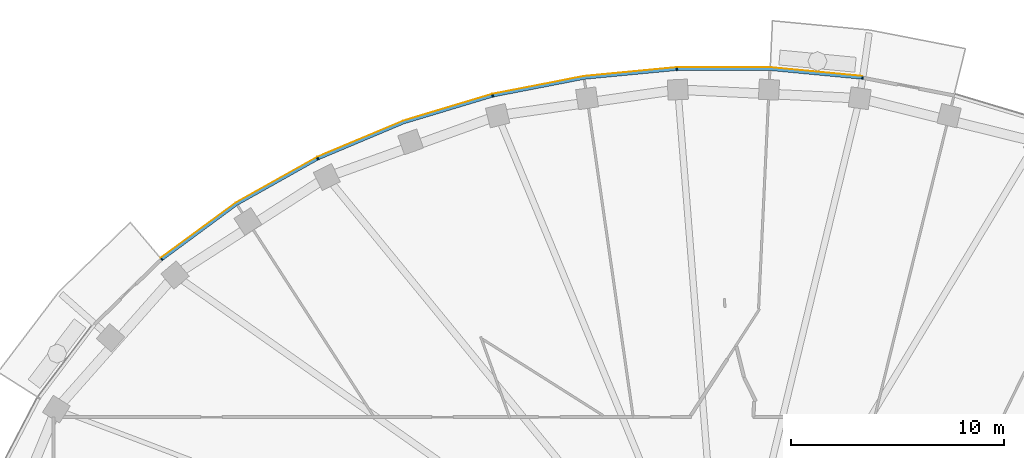
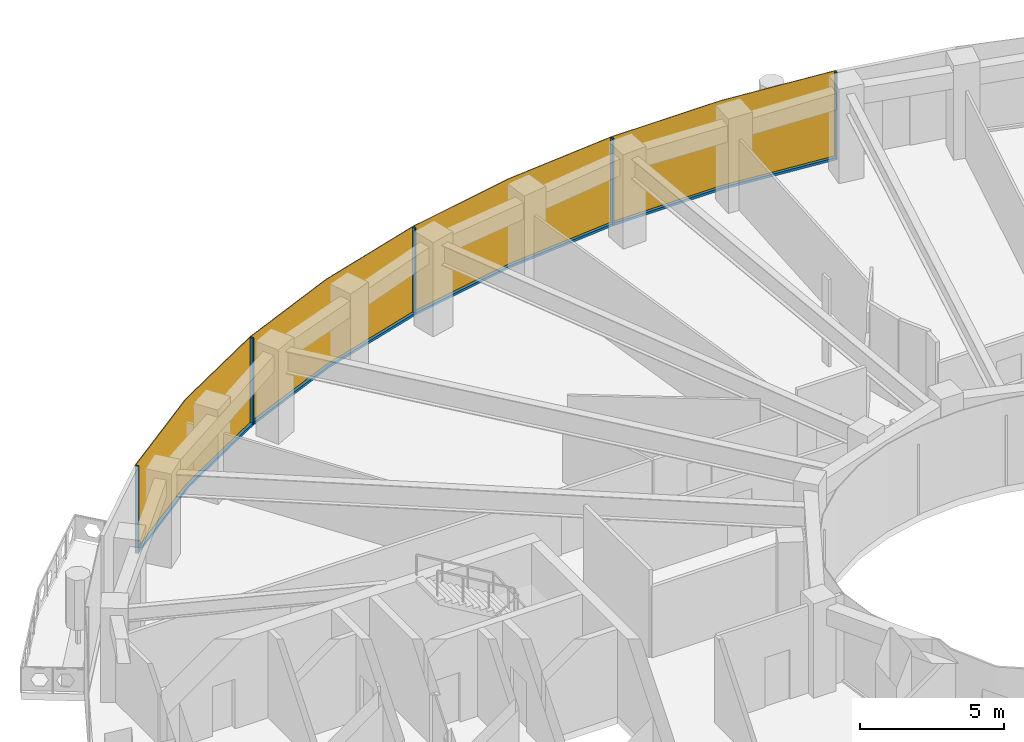
# One storey, part 11 of 16: 9 members, 1 curtain wall.
"""IFC4 building model written with IfcOpenShell, lengths in metres."""

from ifc_helpers import new_model, si_unit, direction, frame, origin, origin_2d, place, context, subcontext, project, spatial, polyline, rectangle, outline, extrude, material, layer, layer_set, material_profile, profile_set, type_object, element, aggregate, save


model = new_model("IFC4")

# Units and contexts
model_context = context("Model", 3, precision=1e-05, world=origin(), true_north=direction((0.0, 1.0)))
body_context = subcontext(model_context, "Body", "Model", "MODEL_VIEW")
ifc_project = project(units=[si_unit("LENGTHUNIT", "METRE"), si_unit("AREAUNIT", "SQUARE_METRE"), si_unit("VOLUMEUNIT", "CUBIC_METRE"), si_unit("PLANEANGLEUNIT", "RADIAN"), si_unit("MASSUNIT", "GRAM", prefix="KILO")], contexts=[model_context])

# Member
ifc_material_1 = material(Name="Aluminium 6063-T6 black anodised", Category="aluminium")
ifc_material_profile = material_profile(ifc_material_1, rectangle(XDim=0.1201171875, YDim=0.06005859375, at=origin_2d()), Name="120x60")
ifc_profile_set = profile_set([ifc_material_profile], Name="Aluminium 6063-T6 black anodised")
member_type_1 = type_object("IfcMemberType", Name="ENV-MULLION-A-120", PredefinedType="MULLION", material=ifc_profile_set)
site_placement = place(None, origin())
building_placement = place(site_placement, origin())
storey_placement = place(building_placement, frame((0.0, 0.0, 315.0)))
member_1_placement = place(storey_placement, frame((6.54638671875, 27.440185546875, 0.0), z_axis=(0.0, 0.0, 1.0), x_axis=(-0.143082012705, -0.989710835366, 0.0)))
member_1 = element("IfcMember", 1, at=member_1_placement, type_object=member_type_1, Name="Mullion A radial 11", PredefinedType="MULLION", context=body_context, shape_type="SweptSolid", body=[
    extrude(rectangle(XDim=0.1201171875, YDim=0.06005859375, at=origin_2d()), origin(), (0.0, 0.0, 1.0), 3.699951171875),
])

member_2_placement = place(storey_placement, frame((-2.188720703125, 27.856201171875, 0.0), z_axis=(0.0, 0.0, 1.0), x_axis=(0.047557873581, -0.998868484166, 0.0)))
member_2 = element("IfcMember", 2, at=member_2_placement, type_object=member_type_1, Name="Mullion A radial 13", PredefinedType="MULLION", context=body_context, shape_type="SweptSolid", body=[
    extrude(rectangle(XDim=0.1201171875, YDim=0.06005859375, at=origin_2d()), origin(), (0.0, 0.0, 1.0), 3.699951171875),
])

member_3_placement = place(storey_placement, frame((-10.84326171875, 26.60498046875, 0.0), z_axis=(0.0, 0.0, 1.0), x_axis=(0.239799081534, -0.970822538106, 0.0)))
member_3 = element("IfcMember", 3, at=member_3_placement, type_object=member_type_1, Name="Mullion A radial 15", PredefinedType="MULLION", context=body_context, shape_type="SweptSolid", body=[
    extrude(rectangle(XDim=0.1201171875, YDim=0.06005859375, at=origin_2d()), origin(), (0.0, 0.0, 1.0), 3.699951171875),
])

member_4_placement = place(storey_placement, frame((-19.06787109375, 23.6474609375, 0.0), z_axis=(0.0, 0.0, 1.0), x_axis=(0.439237769837, -0.898370848563, 0.0)))
member_4 = element("IfcMember", 4, at=member_4_placement, type_object=member_type_1, Name="Mullion A radial 17", PredefinedType="MULLION", context=body_context, shape_type="SweptSolid", body=[
    extrude(rectangle(XDim=0.1201171875, YDim=0.06005859375, at=origin_2d()), origin(), (0.0, 0.0, 1.0), 3.699951171875),
])

member_5_placement = place(storey_placement, frame((-26.403564453125, 18.9130859375, 0.0), z_axis=(0.0, 0.0, 1.0), x_axis=(0.646451313783, -0.762955240435, 0.0)))
member_5 = element("IfcMember", 5, at=member_5_placement, type_object=member_type_1, Name="Mullion A radial 19", PredefinedType="MULLION", context=body_context, shape_type="SweptSolid", body=[
    extrude(rectangle(XDim=0.1201171875, YDim=0.06005859375, at=origin_2d()), origin(), (0.0, 0.0, 1.0), 3.699951171875),
])

ifc_material_2 = material(Name="Aluminium 6063-T6 black anodised", Category="aluminium")
member_type_2 = type_object("IfcMemberType", Name="ENV-TRANSOM-A", PredefinedType="USERDEFINED", material=ifc_material_2)
member_6_placement = place(storey_placement, origin())
member_6 = element("IfcMember", 6, at=member_6_placement, type_object=member_type_2, Name="Transom A radial 11-13", ObjectType="TRANSOM", PredefinedType="USERDEFINED", context=body_context, shape_type="SweptSolid", body=[
    extrude(outline(polyline([(6.527099609375, 27.502197265625), (2.191650390625, 27.916015625), (-2.163818359375, 27.916015625), (-2.157958984375, 27.7958984375), (2.185791015625, 27.7958984375), (6.510009765625, 27.38330078125), (6.527099609375, 27.502197265625)])), origin(), (0.0, 0.0, 1.0), 0.10009765625),
])

member_7_placement = place(storey_placement, origin())
member_7 = element("IfcMember", 7, at=member_7_placement, type_object=member_type_2, Name="Transom A radial 13-15", ObjectType="TRANSOM", PredefinedType="USERDEFINED", context=body_context, shape_type="SweptSolid", body=[
    extrude(outline(polyline([(-2.219482421875, 27.913330078125), (-6.55517578125, 27.49951171875), (-10.830078125, 26.66845703125), (-10.80126953125, 26.552001953125), (-6.537841796875, 27.380615234375), (-2.2138671875, 27.793212890625), (-2.219482421875, 27.913330078125)])), origin(), (0.0, 0.0, 1.0), 0.10009765625),
])

member_8_placement = place(storey_placement, origin())
member_8 = element("IfcMember", 8, at=member_8_placement, type_object=member_type_2, Name="Transom A radial 15-17", ObjectType="TRANSOM", PredefinedType="USERDEFINED", context=body_context, shape_type="SweptSolid", body=[
    extrude(outline(polyline([(-10.884521484375, 26.655029296875), (-15.054443359375, 25.400146484375), (-19.068359375, 23.71240234375), (-19.015380859375, 23.604248046875), (-15.013916015625, 25.287109375), (-10.855712890625, 26.53857421875), (-10.884521484375, 26.655029296875)])), origin(), (0.0, 0.0, 1.0), 0.10009765625),
])

member_9_placement = place(storey_placement, origin())
member_9 = element("IfcMember", 9, at=member_9_placement, type_object=member_type_2, Name="Transom A radial 17-19", ObjectType="TRANSOM", PredefinedType="USERDEFINED", context=body_context, shape_type="SweptSolid", body=[
    extrude(outline(polyline([(-19.11865234375, 23.687744140625), (-22.9150390625, 21.556884765625), (-26.419921875, 18.975341796875), (-26.342041015625, 18.883544921875), (-22.85009765625, 21.455810546875), (-19.06591796875, 23.57958984375), (-19.11865234375, 23.687744140625)])), origin(), (0.0, 0.0, 1.0), 0.10009765625),
])

# Site, building, storey
site = spatial("IfcSite", under=ifc_project, at=site_placement, CompositionType="ELEMENT")
building = spatial("IfcBuilding", under=site, at=building_placement, Name="Noorbagh Ring Tower", CompositionType="ELEMENT")
storey = spatial("IfcBuildingStorey", under=building, at=storey_placement, Name="L68", CompositionType="ELEMENT", Elevation=315.0)

# Curtain wall
ifc_material_3 = material(Name="Glass dark tinted laminated", Category="glass")
ifc_layer = layer(ifc_material_3, 0.031982421875)
ifc_layer_set = layer_set([ifc_layer], Name="Glass dark tinted laminated")
curtain_wall_type = type_object("IfcCurtainWallType", Name="ENV-CW-A", PredefinedType="NOTDEFINED", material=ifc_layer_set)
curtain_wall_placement = place(storey_placement, origin())
curtain_wall = element("IfcCurtainWall", 10, at=curtain_wall_placement, inside=storey, type_object=curtain_wall_type, Name="Curtain wall A R11", PredefinedType="NOTDEFINED", context=body_context, shape_type="SweptSolid", body=[
    extrude(outline(polyline([(6.539794921875, 27.533203125), (2.193115234375, 27.947998046875), (-2.193115234375, 27.947998046875), (-6.559814453125, 27.53125), (-10.865234375, 26.6943359375), (-15.065185546875, 25.430419921875), (-19.108154296875, 23.730224609375), (-22.9326171875, 21.583740234375), (-26.447021484375, 18.9951171875), (-26.42626953125, 18.970703125), (-22.9150390625, 21.556884765625), (-19.093994140625, 23.701416015625), (-15.054443359375, 25.400146484375), (-10.857666015625, 26.6630859375), (-6.55517578125, 27.49951171875), (-2.191650390625, 27.916015625), (2.191650390625, 27.916015625), (6.53515625, 27.50146484375), (6.539794921875, 27.533203125)])), origin(), (0.0, 0.0, 1.0), 3.699951171875),
])

aggregate(curtain_wall, [member_1, member_2, member_3, member_4, member_5, member_6, member_7, member_8, member_9])

save(model, "model.ifc")
